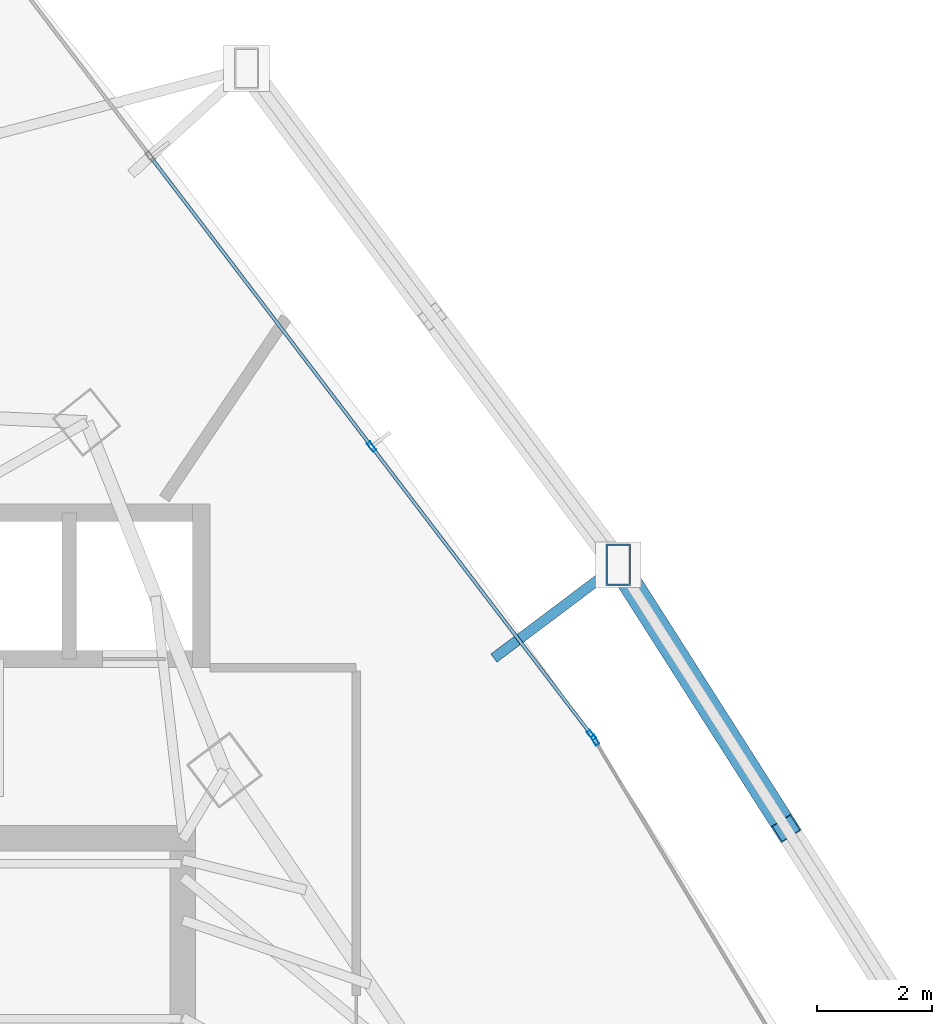
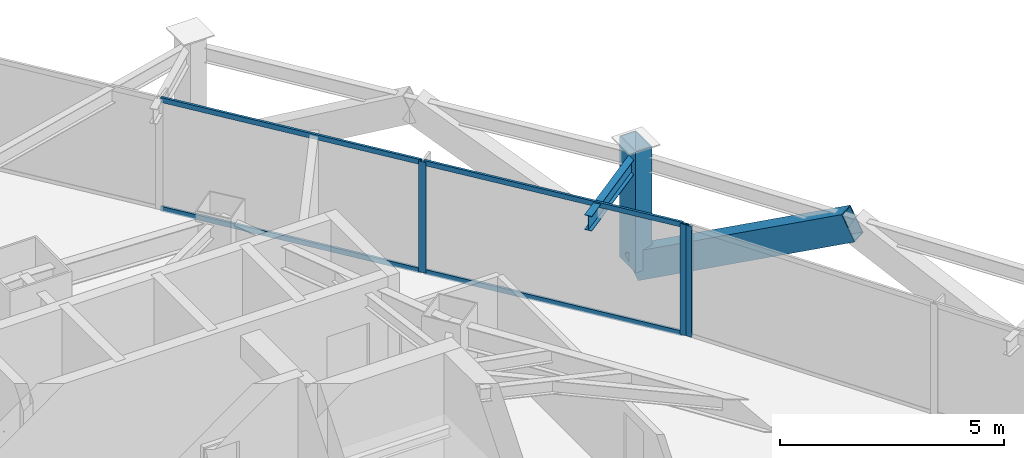
# One storey, part 29 of 38: 9 members, 1 beam, 2 elements without a shape of their own.
"""IFC4 building model written with IfcOpenShell, lengths in metres."""

from ifc_helpers import new_model, si_unit, direction, frame, origin, origin_2d, place, context, subcontext, project, spatial, hollow_rectangle, i_section, extrude, material, layer, layer_set, material_profile, profile_set, type_object, element, aggregate, save


model = new_model("IFC4")

# Units and contexts
model_context = context("Model", 3, precision=1e-05, world=origin(), true_north=direction((0.0, 1.0)))
body_context = subcontext(model_context, "Body", "Model", "MODEL_VIEW")
ifc_project = project(units=[si_unit("LENGTHUNIT", "METRE"), si_unit("AREAUNIT", "SQUARE_METRE"), si_unit("VOLUMEUNIT", "CUBIC_METRE"), si_unit("PLANEANGLEUNIT", "RADIAN"), si_unit("MASSUNIT", "GRAM", prefix="KILO")], contexts=[model_context])

# Site, building, storey
site_placement = place(None, origin())
site = spatial("IfcSite", under=ifc_project, at=site_placement, CompositionType="ELEMENT")
building_placement = place(site_placement, origin())
building = spatial("IfcBuilding", under=site, at=building_placement, Name="Orvanel Arch Residences", CompositionType="ELEMENT")
storey_placement = place(building_placement, frame((0.0, 0.0, 56.60009765625)))
storey = spatial("IfcBuildingStorey", under=building, at=storey_placement, Name="L15", CompositionType="ELEMENT", Elevation=56.60009765625)

# Members
ifc_material_1 = material(Name="Structural steel AS/NZS 3678 Grade 350", Category="steel")
ifc_material_profile_1 = material_profile(ifc_material_1, hollow_rectangle(XDim=0.419921875, YDim=0.719970703125, WallThickness=0.02490234375, at=origin_2d()), Name="RHS720x420x25")
ifc_profile_set_1 = profile_set([ifc_material_profile_1], Name="Structural steel AS/NZS 3678 Grade 350")
member_type_1 = type_object("IfcMemberType", Name="BR-720RHS-EXT", PredefinedType="BRACE", material=ifc_profile_set_1)
member_1_placement = place(storey_placement, frame((47.217041015625, 38.694091796875, 0.0), z_axis=(0.477291695929, -0.749228172064, 0.459183822866), x_axis=(0.843401286276, 0.537284161601, 0.0)))
element("IfcMember", 1, at=member_1_placement, inside=storey, type_object=member_type_1, Name="L15 Exterior Sky-Garden V-Frame Chevron F3B2.2", PredefinedType="BRACE", context=body_context, shape_type="SweptSolid", body=[
    extrude(hollow_rectangle(XDim=0.419921875, YDim=0.719970703125, WallThickness=0.02490234375, at=origin_2d()), origin(), (0.0, 0.0, 1.0), 6.134521484375),
])
ifc_material_profile_2 = material_profile(ifc_material_1, hollow_rectangle(XDim=0.419921875, YDim=0.719970703125, WallThickness=0.02490234375, at=origin_2d()), Name="RHS720x420x25")
ifc_profile_set_2 = profile_set([ifc_material_profile_2], Name="Structural steel AS/NZS 3678 Grade 350")
member_type_2 = type_object("IfcMemberType", Name="CH-720RHS-EXT", PredefinedType="CHORD", material=ifc_profile_set_2)
member_2_placement = place(storey_placement, frame((47.217041015625, 38.694091796875, 0.0), z_axis=(0.0, 0.0, 1.0), x_axis=(1.0, 0.0, 0.0)))
element("IfcMember", 2, at=member_2_placement, inside=storey, type_object=member_type_2, Name="L15 Outer Perimeter Frame Post 11", PredefinedType="CHORD", context=body_context, shape_type="SweptSolid", body=[
    extrude(hollow_rectangle(XDim=0.419921875, YDim=0.719970703125, WallThickness=0.02490234375, at=origin_2d()), origin(), (0.0, 0.0, 1.0), 3.2998046875),
])

# Curtain wall, member
ifc_material_2 = material(Name="Bronze-anodised aluminium AA6063-T6", Category="aluminium")
ifc_layer = layer(ifc_material_2, 0.179931640625)
ifc_layer_set = layer_set([ifc_layer], Name="Bronze-anodised aluminium AA6063-T6")
curtain_wall_type = type_object("IfcCurtainWallType", Name="CW2-LOW-SYS", PredefinedType="NOTDEFINED", material=ifc_layer_set)
curtain_wall_1_placement = place(storey_placement, origin())
curtain_wall_1 = element("IfcCurtainWall", 3, at=curtain_wall_1_placement, inside=storey, type_object=curtain_wall_type, Name="L15 CW2-LOW-SYS Unitised Curtain Wall", PredefinedType="NOTDEFINED")
ifc_material_profile_3 = material_profile(ifc_material_2, hollow_rectangle(XDim=0.070068359375, YDim=0.179931640625, WallThickness=0.00439453125, at=origin_2d()), Name="ALU180x70x4.5")
ifc_profile_set_3 = profile_set([ifc_material_profile_3], Name="Bronze-anodised aluminium AA6063-T6")
member_type_3 = type_object("IfcMemberType", Name="MUL-180x70", PredefinedType="MULLION", material=ifc_profile_set_3)
member_3_placement = place(storey_placement, frame((46.81298828125, 35.634033203125, 0.0), z_axis=(0.0, 0.0, 1.0), x_axis=(-0.857569793125, -0.514367621375, 0.0)))
member_3 = element("IfcMember", 4, at=member_3_placement, type_object=member_type_3, Name="CW-S2 mullion 3", PredefinedType="MULLION", context=body_context, shape_type="SweptSolid", body=[
    extrude(hollow_rectangle(XDim=0.070068359375, YDim=0.179931640625, WallThickness=0.00439453125, at=origin_2d()), origin(), (0.0, 0.0, 1.0), 3.02001953125),
])
aggregate(curtain_wall_1, [member_3])

# Curtain wall, members
curtain_wall_2_placement = place(storey_placement, origin())
curtain_wall_2 = element("IfcCurtainWall", 5, at=curtain_wall_2_placement, inside=storey, type_object=curtain_wall_type, Name="L15 CW2-LOW-SYS Unitised Curtain Wall", PredefinedType="NOTDEFINED")
member_4_placement = place(storey_placement, frame((46.751708984375, 35.724853515625, 0.0), z_axis=(0.0, 0.0, 1.0), x_axis=(-0.795174097037, -0.606381196444, 0.0)))
member_4 = element("IfcMember", 6, at=member_4_placement, type_object=member_type_3, Name="CW-S2 mullion 1", PredefinedType="MULLION", context=body_context, shape_type="SweptSolid", body=[
    extrude(hollow_rectangle(XDim=0.070068359375, YDim=0.179931640625, WallThickness=0.00439453125, at=origin_2d()), origin(), (0.0, 0.0, 1.0), 3.02001953125),
])
member_5_placement = place(storey_placement, frame((42.917724609375, 40.752685546875, 0.0), z_axis=(0.0, 0.0, 1.0), x_axis=(-0.795174097037, -0.606381196444, 0.0)))
member_5 = element("IfcMember", 7, at=member_5_placement, type_object=member_type_3, Name="CW-S2 mullion 2", PredefinedType="MULLION", context=body_context, shape_type="SweptSolid", body=[
    extrude(hollow_rectangle(XDim=0.070068359375, YDim=0.179931640625, WallThickness=0.00439453125, at=origin_2d()), origin(), (0.0, 0.0, 1.0), 3.02001953125),
])

# Beam
ifc_material_3 = material(Name="Structural steel AS/NZS 3679.1 Grade 300 (300 MPa)", Category="steel")
ifc_material_profile_4 = material_profile(ifc_material_3, i_section(OverallWidth=0.177978515625, OverallDepth=0.406005859375, WebThickness=0.0078125, FlangeThickness=0.0126953125, at=origin_2d()), Name="410UB59.7")
ifc_profile_set_4 = profile_set([ifc_material_profile_4], Name="Structural steel AS/NZS 3679.1 Grade 300 (300 MPa)")
beam_type = type_object("IfcBeamType", Name="OB-410UB-EXT", PredefinedType="SPANDREL", material=ifc_profile_set_4)
beam_placement = place(storey_placement, frame((45.049072265625, 37.06494140625, 2.81689453125), z_axis=(0.799437882192, 0.600748759895, 0.0), x_axis=(-0.600748759895, 0.799437882192, 0.0)))
element("IfcBeam", 8, at=beam_placement, inside=storey, type_object=beam_type, Name="L15 Outer Frame Radial Tie Beam 11", PredefinedType="SPANDREL", context=body_context, shape_type="SweptSolid", body=[
    extrude(i_section(OverallWidth=0.177978515625, OverallDepth=0.406005859375, WebThickness=0.0078125, FlangeThickness=0.0126953125, at=origin_2d()), origin(), (0.0, 0.0, 1.0), 2.7119140625),
])

# Member
ifc_material_profile_5 = material_profile(ifc_material_2, hollow_rectangle(XDim=0.06005859375, YDim=0.135009765625, WallThickness=0.00390625, at=origin_2d()), Name="ALU135x60x4")
ifc_profile_set_5 = profile_set([ifc_material_profile_5], Name="Bronze-anodised aluminium AA6063-T6")
member_type_4 = type_object("IfcMemberType", Name="TRN-135x60", PredefinedType="USERDEFINED", material=ifc_profile_set_5)
member_6_placement = place(storey_placement, frame((46.73046875, 35.752685546875, 0.02978515625), z_axis=(-0.606365495041, 0.795186070316, 0.0), x_axis=(-0.795186070316, -0.606365495041, 0.0)))
member_6 = element("IfcMember", 9, at=member_6_placement, type_object=member_type_4, Name="CW-S2 transom 1.1", ObjectType="TRANSOM", PredefinedType="USERDEFINED", context=body_context, shape_type="SweptSolid", body=[
    extrude(hollow_rectangle(XDim=0.06005859375, YDim=0.135009765625, WallThickness=0.00390625, at=origin_2d()), origin(), (0.0, 0.0, 1.0), 6.2529296875),
])

member_7_placement = place(storey_placement, frame((46.73046875, 35.752685546875, 2.989990234375), z_axis=(-0.606365495041, 0.795186070316, 0.0), x_axis=(-0.795186070316, -0.606365495041, 0.0)))
member_7 = element("IfcMember", 10, at=member_7_placement, type_object=member_type_4, Name="CW-S2 transom 1.2", ObjectType="TRANSOM", PredefinedType="USERDEFINED", context=body_context, shape_type="SweptSolid", body=[
    extrude(hollow_rectangle(XDim=0.06005859375, YDim=0.135009765625, WallThickness=0.00390625, at=origin_2d()), origin(), (0.0, 0.0, 1.0), 6.2529296875),
])

member_8_placement = place(storey_placement, frame((42.896484375, 40.780517578125, 0.02978515625), z_axis=(-0.606391759687, 0.795166041644, 0.0), x_axis=(-0.795166041644, -0.606391759687, 0.0)))
member_8 = element("IfcMember", 11, at=member_8_placement, type_object=member_type_4, Name="CW-S2 transom 2.1", ObjectType="TRANSOM", PredefinedType="USERDEFINED", context=body_context, shape_type="SweptSolid", body=[
    extrude(hollow_rectangle(XDim=0.06005859375, YDim=0.135009765625, WallThickness=0.00390625, at=origin_2d()), origin(), (0.0, 0.0, 1.0), 6.2880859375),
])

member_9_placement = place(storey_placement, frame((42.896484375, 40.780517578125, 2.989990234375), z_axis=(-0.606391759687, 0.795166041644, 0.0), x_axis=(-0.795166041644, -0.606391759687, 0.0)))
member_9 = element("IfcMember", 12, at=member_9_placement, type_object=member_type_4, Name="CW-S2 transom 2.2", ObjectType="TRANSOM", PredefinedType="USERDEFINED", context=body_context, shape_type="SweptSolid", body=[
    extrude(hollow_rectangle(XDim=0.06005859375, YDim=0.135009765625, WallThickness=0.00390625, at=origin_2d()), origin(), (0.0, 0.0, 1.0), 6.2880859375),
])

aggregate(curtain_wall_2, [member_4, member_5, member_6, member_7, member_8, member_9])

save(model, "model.ifc")
